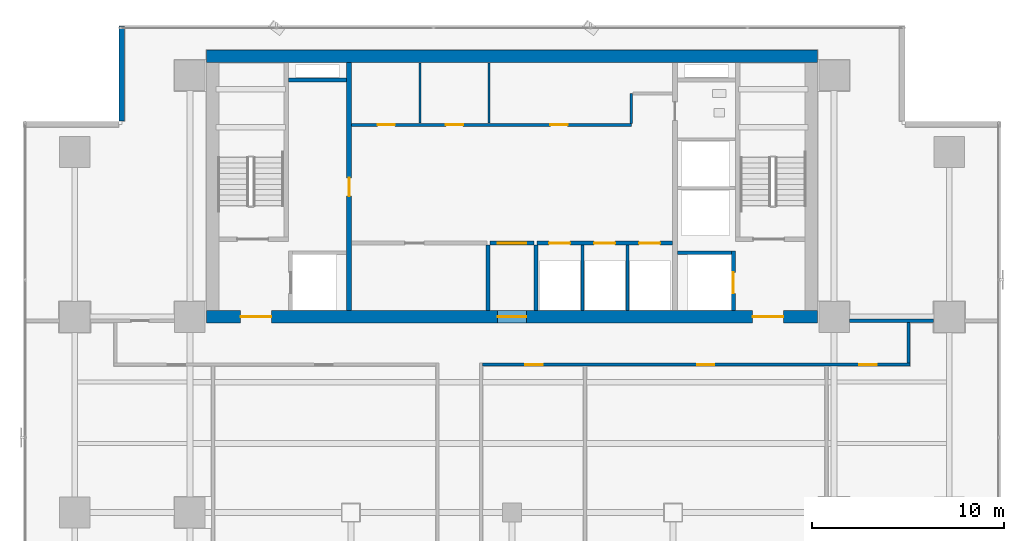
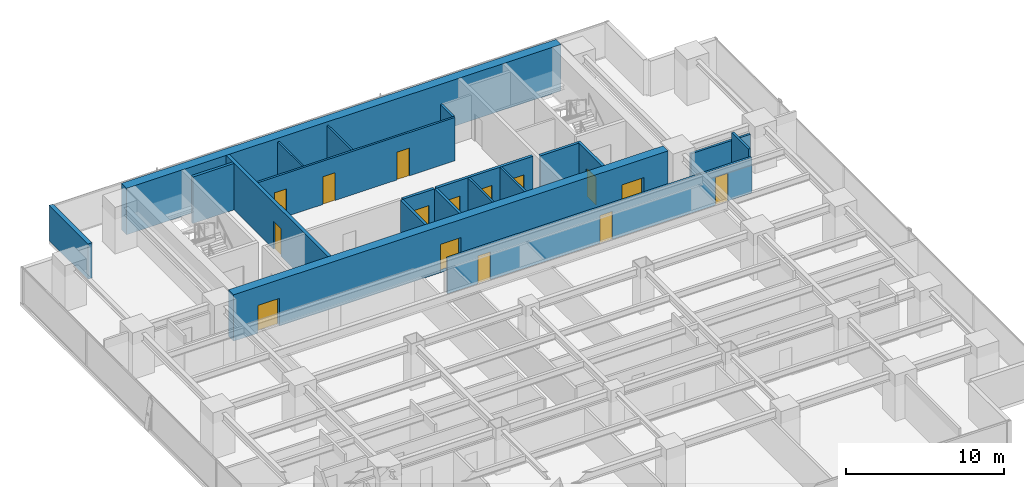
# One storey, part 29 of 37: 20 walls, 15 doors, 15 openings.
"""IFC4 building model written with IfcOpenShell, lengths in metres."""

from ifc_helpers import new_model, si_unit, direction, frame, frame_2d, origin, place, context, subcontext, project, spatial, rectangle, extrude, source, transform, mapped, material, layer, layer_set, type_object, element, fill, save


model = new_model("IFC4")

# Units and contexts
model_context = context("Model", 3, precision=1e-05, world=origin(), true_north=direction((0.0, 1.0)))
body_context = subcontext(model_context, "Body", "Model", "MODEL_VIEW")
ifc_project = project(units=[si_unit("LENGTHUNIT", "METRE"), si_unit("AREAUNIT", "SQUARE_METRE"), si_unit("VOLUMEUNIT", "CUBIC_METRE"), si_unit("PLANEANGLEUNIT", "RADIAN"), si_unit("MASSUNIT", "GRAM", prefix="KILO")], contexts=[model_context])

# Site, building, storey
site_placement = place(None, origin())
site = spatial("IfcSite", under=ifc_project, at=site_placement, CompositionType="ELEMENT")
building_placement = place(site_placement, origin())
building = spatial("IfcBuilding", under=site, at=building_placement, Name="Sumidabori Civic Tower", CompositionType="ELEMENT")
storey_placement = place(building_placement, frame((0.0, 0.0, 110.0)))
storey = spatial("IfcBuildingStorey", under=building, at=storey_placement, Name="L28", CompositionType="ELEMENT", Elevation=110.0)

# Walls
ifc_material_1 = material(Name="Concrete C50/60", Category="concrete")
ifc_layer_1 = layer(ifc_material_1, 0.199951171875, Name="Concrete C50/60")
ifc_layer_set_1 = layer_set([ifc_layer_1], Name="Concrete C50/60")
wall_type_1 = type_object("IfcWallType", Name="WL-SHAFT-200", PredefinedType="SHEAR", material=ifc_layer_set_1)
shared_shape_1 = source(origin(), body_context, "Body", "SweptSolid", [
    extrude(rectangle(XDim=2.824951171875, YDim=0.199951171875, at=frame_2d((1.41259765625, 0.0))), origin(), (0.0, 0.0, 1.0), 3.60009765625),
])
wall_1_placement = place(storey_placement, frame((8.625, 13.550048828125, 0.0), z_axis=(0.0, 0.0, 1.0), x_axis=(1.0, 0.0, 0.0)))
element("IfcWall", 1, at=wall_1_placement, inside=storey, type_object=wall_type_1, Name="Core Shear Wall L28 EL2-N", PredefinedType="SHEAR", context=body_context, shape_type="MappedRepresentation", body=[
    mapped(shared_shape_1, transform((0.0, 0.0, 0.0), x_axis=(1.0, 0.0, 0.0), y_axis=(0.0, 1.0, 0.0), z_axis=(0.0, 0.0, 1.0), scale=1.0)),
])
shared_shape_2 = source(origin(), body_context, "Body", "SweptSolid", [
    extrude(rectangle(XDim=3.02001953125, YDim=0.199951171875, at=frame_2d((1.510009765625, 0.0))), origin(), (0.0, 0.0, 1.0), 3.60009765625),
])
wall_2_placement = place(storey_placement, frame((-11.64501953125, 22.550048828125, 0.0), z_axis=(0.0, 0.0, 1.0), x_axis=(1.0, 0.0, 0.0)))
element("IfcWall", 2, at=wall_2_placement, inside=storey, type_object=wall_type_1, Name="Core Shear Wall L28 RIS1-S", PredefinedType="SHEAR", context=body_context, shape_type="MappedRepresentation", body=[
    mapped(shared_shape_2, transform((0.0, 0.0, 0.0), x_axis=(1.0, 0.0, 0.0), y_axis=(0.0, 1.0, 0.0), z_axis=(0.0, 0.0, 1.0), scale=1.0)),
])
ifc_material_2 = material(Name="Concrete C60/75", Category="concrete")
ifc_layer_2 = layer(ifc_material_2, 0.64990234375, Name="Concrete C60/75")
ifc_layer_set_2 = layer_set([ifc_layer_2], Name="Concrete C60/75")
wall_type_2 = type_object("IfcWallType", Name="WL-CORE-650", PredefinedType="SHEAR", material=ifc_layer_set_2)
shared_shape_3 = source(origin(), body_context, "Body", "SweptSolid", [
    extrude(rectangle(XDim=31.85009765625, YDim=0.64990234375, at=frame_2d((15.925048828125, 0.0))), origin(), (0.0, 0.0, 1.0), 3.60009765625),
])
wall_3_placement = place(storey_placement, frame((-15.925048828125, 23.800048828125, 0.0), z_axis=(0.0, 0.0, 1.0), x_axis=(1.0, 0.0, 0.0)))
element("IfcWall", 3, at=wall_3_placement, inside=storey, type_object=wall_type_2, Name="Core Shear Wall L28 N", PredefinedType="SHEAR", context=body_context, shape_type="MappedRepresentation", body=[
    mapped(shared_shape_3, transform((0.0, 0.0, 0.0), x_axis=(1.0, 0.0, 0.0), y_axis=(0.0, 1.0, 0.0), z_axis=(0.0, 0.0, 1.0), scale=1.0)),
])

# Wall, openings, doors
wall_4_placement = place(storey_placement, frame((-15.925048828125, 10.199951171875, 0.0), z_axis=(0.0, 0.0, 1.0), x_axis=(1.0, 0.0, 0.0)))
wall_4 = element("IfcWall", 4, at=wall_4_placement, inside=storey, type_object=wall_type_2, Name="Core Shear Wall L28 S", PredefinedType="SHEAR", context=body_context, shape_type="MappedRepresentation", body=[
    mapped(shared_shape_3, transform((0.0, 0.0, 0.0), x_axis=(1.0, 0.0, 0.0), y_axis=(0.0, 1.0, 0.0), z_axis=(0.0, 0.0, 1.0), scale=1.0)),
])
opening_1_placement = place(wall_4_placement, frame((1.77490234375, 0.0, 0.0)))
opening_1 = element("IfcOpeningElement", 5, at=opening_1_placement, cuts=wall_4, Name="Opening DR-FD4", PredefinedType="OPENING", context=body_context, shape_type="SweptSolid", body=[
    extrude(rectangle(XDim=1.60009765625, YDim=2.14990234375, at=frame_2d((0.800048828125, 1.074951171875))), frame((0.0, 0.3369140625, 0.0), z_axis=(0.0, -1.0, 0.0), x_axis=(1.0, 0.0, 0.0)), (0.0, 0.0, 1.0), 0.673828125),
])
opening_2_placement = place(wall_4_placement, frame((28.47509765625, 0.0, 0.0)))
opening_2 = element("IfcOpeningElement", 6, at=opening_2_placement, cuts=wall_4, Name="Opening DR-FD4", PredefinedType="OPENING", context=body_context, shape_type="SweptSolid", body=[
    extrude(rectangle(XDim=1.60009765625, YDim=2.14990234375, at=frame_2d((0.800048828125, 1.074951171875))), frame((0.0, 0.3369140625, 0.0), z_axis=(0.0, -1.0, 0.0), x_axis=(1.0, 0.0, 0.0)), (0.0, 0.0, 1.0), 0.673828125),
])
opening_3_placement = place(wall_4_placement, frame((15.175048828125, 0.0, 0.0)))
opening_3 = element("IfcOpeningElement", 7, at=opening_3_placement, cuts=wall_4, Name="Opening DR-FD3", PredefinedType="OPENING", context=body_context, shape_type="SweptSolid", body=[
    extrude(rectangle(XDim=1.5, YDim=2.199951171875, at=frame_2d((0.75, 1.10009765625))), frame((0.0, 0.3369140625, 0.0), z_axis=(0.0, -1.0, 0.0), x_axis=(1.0, 0.0, 0.0)), (0.0, 0.0, 1.0), 0.673828125),
])
ifc_material_3 = material(Name="Steel SN490", Category="steel")
door_type_1 = type_object("IfcDoorType", Name="DR-FD4", OperationType="DOUBLE_DOOR_SINGLE_SWING", PredefinedType="DOOR", material=ifc_material_3)
shared_shape_4 = source(origin(), body_context, "Body", "SweptSolid", [
    extrude(rectangle(XDim=1.60009765625, YDim=2.14990234375, at=frame_2d((0.800048828125, 1.074951171875))), frame((0.0, 0.02490234375, 0.0), z_axis=(0.0, -1.0, 0.0), x_axis=(1.0, 0.0, 0.0)), (0.0, 0.0, 1.0), 0.050048828125),
])
door_1_placement = place(opening_1_placement, origin())
door_1 = element("IfcDoor", 8, at=door_1_placement, inside=storey, type_object=door_type_1, Name="Door DR:L28:ELOB-W", OperationType="DOUBLE_DOOR_SINGLE_SWING", OverallHeight=2.14990234375, OverallWidth=1.60009765625, PredefinedType="DOOR", context=body_context, shape_type="MappedRepresentation", body=[
    mapped(shared_shape_4, transform((0.0, 0.0, 0.0), x_axis=(1.0, 0.0, 0.0), y_axis=(0.0, 1.0, 0.0), z_axis=(0.0, 0.0, 1.0), scale=1.0)),
])
fill(opening_1, door_1)
door_2_placement = place(opening_2_placement, origin())
door_2 = element("IfcDoor", 9, at=door_2_placement, inside=storey, type_object=door_type_1, Name="Door DR:L28:ELOB-E", OperationType="DOUBLE_DOOR_SINGLE_SWING", OverallHeight=2.14990234375, OverallWidth=1.60009765625, PredefinedType="DOOR", context=body_context, shape_type="MappedRepresentation", body=[
    mapped(shared_shape_4, transform((0.0, 0.0, 0.0), x_axis=(1.0, 0.0, 0.0), y_axis=(0.0, 1.0, 0.0), z_axis=(0.0, 0.0, 1.0), scale=1.0)),
])
fill(opening_2, door_2)
door_type_2 = type_object("IfcDoorType", Name="DR-FD-DBL", OperationType="DOUBLE_DOOR_SINGLE_SWING", PredefinedType="DOOR", material=ifc_material_3)
shared_shape_5 = source(origin(), body_context, "Body", "SweptSolid", [
    extrude(rectangle(XDim=1.5, YDim=2.199951171875, at=frame_2d((0.75, 1.10009765625))), frame((0.0, 0.02490234375, 0.0), z_axis=(0.0, -1.0, 0.0), x_axis=(1.0, 0.0, 0.0)), (0.0, 0.0, 1.0), 0.050048828125),
])
door_3_placement = place(opening_3_placement, origin())
door_3 = element("IfcDoor", 10, at=door_3_placement, inside=storey, type_object=door_type_2, Name="Door DR:L28:THROAT-OUT", OperationType="DOUBLE_DOOR_SINGLE_SWING", OverallHeight=2.199951171875, OverallWidth=1.5, PredefinedType="DOOR", context=body_context, shape_type="MappedRepresentation", body=[
    mapped(shared_shape_5, transform((0.0, 0.0, 0.0), x_axis=(1.0, 0.0, 0.0), y_axis=(0.0, 1.0, 0.0), z_axis=(0.0, 0.0, 1.0), scale=1.0)),
])
fill(opening_3, door_3)

# Wall, opening, door
ifc_layer_3 = layer(ifc_material_1, 0.25, Name="Concrete C50/60")
ifc_layer_set_3 = layer_set([ifc_layer_3], Name="Concrete C50/60")
wall_type_3 = type_object("IfcWallType", Name="WL-SHAFT-250", PredefinedType="SHEAR", material=ifc_layer_set_3)
shared_shape_6 = source(origin(), body_context, "Body", "SweptSolid", [
    extrude(rectangle(XDim=12.9501953125, YDim=0.25, at=frame_2d((6.47509765625, 0.0))), origin(), (0.0, 0.0, 1.0), 3.60009765625),
])
wall_5_placement = place(storey_placement, frame((-8.5, 10.52490234375, 0.0), z_axis=(0.0, 0.0, 1.0), x_axis=(0.0, 1.0, 0.0)))
wall_5 = element("IfcWall", 11, at=wall_5_placement, inside=storey, type_object=wall_type_3, Name="Core Shear Wall L28 WEB-W", PredefinedType="SHEAR", context=body_context, shape_type="MappedRepresentation", body=[
    mapped(shared_shape_6, transform((0.0, 0.0, 0.0), x_axis=(1.0, 0.0, 0.0), y_axis=(0.0, 1.0, 0.0), z_axis=(0.0, 0.0, 1.0), scale=1.0)),
])
opening_4_placement = place(wall_5_placement, frame((5.97509765625, 0.0, 0.0)))
opening_4 = element("IfcOpeningElement", 12, at=opening_4_placement, cuts=wall_5, Name="Opening DR-FD2", PredefinedType="OPENING", context=body_context, shape_type="SweptSolid", body=[
    extrude(rectangle(XDim=0.949951171875, YDim=2.14990234375, at=frame_2d((0.47509765625, 1.074951171875))), frame((0.0, 0.136962890625, 0.0), z_axis=(0.0, -1.0, 0.0), x_axis=(1.0, 0.0, 0.0)), (0.0, 0.0, 1.0), 0.27392578125),
])
door_type_3 = type_object("IfcDoorType", Name="DR-FD2", OperationType="NOTDEFINED", PredefinedType="DOOR", material=ifc_material_3)
shared_shape_7 = source(origin(), body_context, "Body", "SweptSolid", [
    extrude(rectangle(XDim=0.949951171875, YDim=2.14990234375, at=frame_2d((0.47509765625, 1.074951171875))), frame((0.0, 0.02490234375, 0.0), z_axis=(0.0, -1.0, 0.0), x_axis=(1.0, 0.0, 0.0)), (0.0, 0.0, 1.0), 0.050048828125),
])
door_4_placement = place(opening_4_placement, origin())
door_4 = element("IfcDoor", 13, at=door_4_placement, inside=storey, type_object=door_type_3, Name="Door DR:L28:CW-STR", OperationType="SINGLE_SWING_LEFT", OverallHeight=2.14990234375, OverallWidth=0.949951171875, PredefinedType="DOOR", context=body_context, shape_type="MappedRepresentation", body=[
    mapped(shared_shape_7, transform((0.0, 0.0, 0.0), x_axis=(1.0, 0.0, 0.0), y_axis=(0.0, 1.0, 0.0), z_axis=(0.0, 0.0, 1.0), scale=1.0)),
])
fill(opening_4, door_4)

shared_shape_8 = source(origin(), body_context, "Body", "SweptSolid", [
    extrude(rectangle(XDim=3.125, YDim=0.199951171875, at=frame_2d((1.5625, 0.0))), origin(), (0.0, 0.0, 1.0), 3.60009765625),
])
wall_6_placement = place(storey_placement, frame((11.550048828125, 10.52490234375, 0.0), z_axis=(0.0, 0.0, 1.0), x_axis=(0.0, 1.0, 0.0)))
wall_6 = element("IfcWall", 14, at=wall_6_placement, inside=storey, type_object=wall_type_1, Name="Core Shear Wall L28 EL2-E", PredefinedType="SHEAR", context=body_context, shape_type="MappedRepresentation", body=[
    mapped(shared_shape_8, transform((0.0, 0.0, 0.0), x_axis=(1.0, 0.0, 0.0), y_axis=(0.0, 1.0, 0.0), z_axis=(0.0, 0.0, 1.0), scale=1.0)),
])
opening_5_placement = place(wall_6_placement, frame((0.89990234375, 0.0, 0.0)))
opening_5 = element("IfcOpeningElement", 15, at=opening_5_placement, cuts=wall_6, Name="Opening LD-2", PredefinedType="OPENING", context=body_context, shape_type="SweptSolid", body=[
    extrude(rectangle(XDim=1.10009765625, YDim=2.14990234375, at=frame_2d((0.550048828125, 1.074951171875))), frame((0.0, 0.11181640625, 0.0), z_axis=(0.0, -1.0, 0.0), x_axis=(1.0, 0.0, 0.0)), (0.0, 0.0, 1.0), 0.223876953125),
])
ifc_material_4 = material(Name="Stainless Steel Hairline Finish", Category="steel")
door_type_4 = type_object("IfcDoorType", Name="DR-LD2", OperationType="DOUBLE_DOOR_SLIDING", PredefinedType="DOOR", material=ifc_material_4)
shared_shape_9 = source(origin(), body_context, "Body", "SweptSolid", [
    extrude(rectangle(XDim=1.10009765625, YDim=2.14990234375, at=frame_2d((0.550048828125, 1.074951171875))), frame((0.0, 0.02490234375, 0.0), z_axis=(0.0, -1.0, 0.0), x_axis=(1.0, 0.0, 0.0)), (0.0, 0.0, 1.0), 0.050048828125),
])
door_5_placement = place(opening_5_placement, origin())
door_5 = element("IfcDoor", 16, at=door_5_placement, inside=storey, type_object=door_type_4, Name="Door DR:L28:LD-EL2", OperationType="DOUBLE_DOOR_SLIDING", OverallHeight=2.14990234375, OverallWidth=1.10009765625, PredefinedType="DOOR", context=body_context, shape_type="MappedRepresentation", body=[
    mapped(shared_shape_9, transform((0.0, 0.0, 0.0), x_axis=(1.0, 0.0, 0.0), y_axis=(0.0, 1.0, 0.0), z_axis=(0.0, 0.0, 1.0), scale=1.0)),
])
fill(opening_5, door_5)

# Wall
ifc_material_5 = material(Name="Precast concrete C40/50", Category="concrete")
ifc_layer_4 = layer(ifc_material_5, 0.300048828125, Name="Precast concrete C40/50")
ifc_layer_set_4 = layer_set([ifc_layer_4], Name="Precast concrete C40/50")
wall_type_4 = type_object("IfcWallType", Name="WL-EXT-POD300", PredefinedType="STANDARD", material=ifc_layer_set_4)
shared_shape_10 = source(origin(), body_context, "Body", "SweptSolid", [
    extrude(rectangle(XDim=4.9599609375, YDim=0.300048828125, at=frame_2d((2.47998046875, 0.0))), origin(), (0.0, 0.0, 1.0), 2.739990234375),
])
wall_7_placement = place(storey_placement, frame((-20.35009765625, 25.3798828125, 0.0), z_axis=(0.0, 0.0, 1.0), x_axis=(0.0, -1.0, 0.0)))
element("IfcWall", 17, at=wall_7_placement, inside=storey, type_object=wall_type_4, Name="Notched Corner Spandrel Band L28-08", PredefinedType="STANDARD", context=body_context, shape_type="MappedRepresentation", body=[
    mapped(shared_shape_10, transform((0.0, 0.0, 0.0), x_axis=(1.0, 0.0, 0.0), y_axis=(0.0, 1.0, 0.0), z_axis=(0.0, 0.0, 1.0), scale=1.0)),
])

# Wall, openings, doors
ifc_material_6 = material(Name="Gypsum Plasterboard Fire Partition")
ifc_layer_5 = layer(ifc_material_6, 0.199951171875, Name="Gypsum Plasterboard Fire Partition")
ifc_layer_set_5 = layer_set([ifc_layer_5], Name="Gypsum Plasterboard Fire Partition")
wall_type_5 = type_object("IfcWallType", Name="WL-PART-FIRE", PredefinedType="PARTITIONING", material=ifc_layer_set_5)
shared_shape_11 = source(origin(), body_context, "Body", "SweptSolid", [
    extrude(rectangle(XDim=7.070068359375, YDim=0.199951171875, at=frame_2d((3.53515625, 0.0))), origin(), (0.0, 0.0, 1.0), 3.360107421875),
])
wall_8_placement = place(storey_placement, frame((1.300048828125, 14.050048828125, 0.0), z_axis=(0.0, 0.0, 1.0), x_axis=(1.0, 0.0, 0.0)))
wall_8 = element("IfcWall", 18, at=wall_8_placement, inside=storey, type_object=wall_type_5, Name="Interior Partition WL:L28:CBAND-SE", PredefinedType="PARTITIONING", context=body_context, shape_type="MappedRepresentation", body=[
    mapped(shared_shape_11, transform((0.0, 0.0, 0.0), x_axis=(1.0, 0.0, 0.0), y_axis=(0.0, 1.0, 0.0), z_axis=(0.0, 0.0, 1.0), scale=1.0)),
])
opening_6_placement = place(wall_8_placement, frame((0.6298828125, 0.0, 0.0)))
opening_6 = element("IfcOpeningElement", 19, at=opening_6_placement, cuts=wall_8, Name="Opening LD-1", PredefinedType="OPENING", context=body_context, shape_type="SweptSolid", body=[
    extrude(rectangle(XDim=1.10009765625, YDim=2.14990234375, at=frame_2d((0.550048828125, 1.074951171875))), frame((0.0, 0.11181640625, 0.0), z_axis=(0.0, -1.0, 0.0), x_axis=(1.0, 0.0, 0.0)), (0.0, 0.0, 1.0), 0.223876953125),
])
opening_7_placement = place(wall_8_placement, frame((2.97998046875, 0.0, 0.0)))
opening_7 = element("IfcOpeningElement", 20, at=opening_7_placement, cuts=wall_8, Name="Opening LD-1", PredefinedType="OPENING", context=body_context, shape_type="SweptSolid", body=[
    extrude(rectangle(XDim=1.10009765625, YDim=2.14990234375, at=frame_2d((0.550048828125, 1.074951171875))), frame((0.0, 0.11181640625, 0.0), z_axis=(0.0, -1.0, 0.0), x_axis=(1.0, 0.0, 0.0)), (0.0, 0.0, 1.0), 0.223876953125),
])
opening_8_placement = place(wall_8_placement, frame((5.330078125, 0.0, 0.0)))
opening_8 = element("IfcOpeningElement", 21, at=opening_8_placement, cuts=wall_8, Name="Opening LD-1", PredefinedType="OPENING", context=body_context, shape_type="SweptSolid", body=[
    extrude(rectangle(XDim=1.10009765625, YDim=2.14990234375, at=frame_2d((0.550048828125, 1.074951171875))), frame((0.0, 0.11181640625, 0.0), z_axis=(0.0, -1.0, 0.0), x_axis=(1.0, 0.0, 0.0)), (0.0, 0.0, 1.0), 0.223876953125),
])
door_type_5 = type_object("IfcDoorType", Name="DR-LD1", OperationType="DOUBLE_DOOR_SLIDING", PredefinedType="DOOR", material=ifc_material_4)
door_6_placement = place(opening_6_placement, origin())
door_6 = element("IfcDoor", 22, at=door_6_placement, inside=storey, type_object=door_type_5, Name="Door DR:L28:LD-PLM1", OperationType="DOUBLE_DOOR_SLIDING", OverallHeight=2.14990234375, OverallWidth=1.10009765625, PredefinedType="DOOR", context=body_context, shape_type="MappedRepresentation", body=[
    mapped(shared_shape_9, transform((0.0, 0.0, 0.0), x_axis=(1.0, 0.0, 0.0), y_axis=(0.0, 1.0, 0.0), z_axis=(0.0, 0.0, 1.0), scale=1.0)),
])
fill(opening_6, door_6)
door_7_placement = place(opening_7_placement, origin())
door_7 = element("IfcDoor", 23, at=door_7_placement, inside=storey, type_object=door_type_5, Name="Door DR:L28:LD-PLM2", OperationType="DOUBLE_DOOR_SLIDING", OverallHeight=2.14990234375, OverallWidth=1.10009765625, PredefinedType="DOOR", context=body_context, shape_type="MappedRepresentation", body=[
    mapped(shared_shape_9, transform((0.0, 0.0, 0.0), x_axis=(1.0, 0.0, 0.0), y_axis=(0.0, 1.0, 0.0), z_axis=(0.0, 0.0, 1.0), scale=1.0)),
])
fill(opening_7, door_7)
door_8_placement = place(opening_8_placement, origin())
door_8 = element("IfcDoor", 24, at=door_8_placement, inside=storey, type_object=door_type_5, Name="Door DR:L28:LD-PLM3", OperationType="DOUBLE_DOOR_SLIDING", OverallHeight=2.14990234375, OverallWidth=1.10009765625, PredefinedType="DOOR", context=body_context, shape_type="MappedRepresentation", body=[
    mapped(shared_shape_9, transform((0.0, 0.0, 0.0), x_axis=(1.0, 0.0, 0.0), y_axis=(0.0, 1.0, 0.0), z_axis=(0.0, 0.0, 1.0), scale=1.0)),
])
fill(opening_8, door_8)

# Wall, opening, door
shared_shape_12 = source(origin(), body_context, "Body", "SweptSolid", [
    extrude(rectangle(XDim=2.2998046875, YDim=0.199951171875, at=frame_2d((1.14990234375, 0.0))), origin(), (0.0, 0.0, 1.0), 3.360107421875),
])
wall_9_placement = place(storey_placement, frame((-1.14990234375, 14.050048828125, 0.0), z_axis=(0.0, 0.0, 1.0), x_axis=(1.0, 0.0, 0.0)))
wall_9 = element("IfcWall", 25, at=wall_9_placement, inside=storey, type_object=wall_type_5, Name="Interior Partition WL:L28:THROAT-N", PredefinedType="PARTITIONING", context=body_context, shape_type="MappedRepresentation", body=[
    mapped(shared_shape_12, transform((0.0, 0.0, 0.0), x_axis=(1.0, 0.0, 0.0), y_axis=(0.0, 1.0, 0.0), z_axis=(0.0, 0.0, 1.0), scale=1.0)),
])
opening_9_placement = place(wall_9_placement, frame((0.39990234375, 0.0, 0.0)))
opening_9 = element("IfcOpeningElement", 26, at=opening_9_placement, cuts=wall_9, Name="Opening DR-FD3", PredefinedType="OPENING", context=body_context, shape_type="SweptSolid", body=[
    extrude(rectangle(XDim=1.5, YDim=2.199951171875, at=frame_2d((0.75, 1.10009765625))), frame((0.0, 0.11181640625, 0.0), z_axis=(0.0, -1.0, 0.0), x_axis=(1.0, 0.0, 0.0)), (0.0, 0.0, 1.0), 0.223876953125),
])
door_9_placement = place(opening_9_placement, origin())
door_9 = element("IfcDoor", 27, at=door_9_placement, inside=storey, type_object=door_type_2, Name="Door DR:L28:THROAT-IN", OperationType="DOUBLE_DOOR_SINGLE_SWING", OverallHeight=2.199951171875, OverallWidth=1.5, PredefinedType="DOOR", context=body_context, shape_type="MappedRepresentation", body=[
    mapped(shared_shape_5, transform((0.0, 0.0, 0.0), x_axis=(1.0, 0.0, 0.0), y_axis=(0.0, 1.0, 0.0), z_axis=(0.0, 0.0, 1.0), scale=1.0)),
])
fill(opening_9, door_9)

# Wall, openings, doors
ifc_material_7 = material(Name="Gypsum Plasterboard Acoustic Partition")
ifc_layer_6 = layer(ifc_material_7, 0.14990234375, Name="Gypsum Plasterboard Acoustic Partition")
ifc_layer_set_6 = layer_set([ifc_layer_6], Name="Gypsum Plasterboard Acoustic Partition")
wall_type_6 = type_object("IfcWallType", Name="WL-PART-150", PredefinedType="PARTITIONING", material=ifc_layer_set_6)
shared_shape_13 = source(origin(), body_context, "Body", "SweptSolid", [
    extrude(rectangle(XDim=14.590087890625, YDim=0.14990234375, at=frame_2d((7.294921875, 0.0))), origin(), (0.0, 0.0, 1.0), 3.360107421875),
])
wall_10_placement = place(storey_placement, frame((-8.3701171875, 20.219970703125, 0.0), z_axis=(0.0, 0.0, 1.0), x_axis=(1.0, 0.0, 0.0)))
wall_10 = element("IfcWall", 28, at=wall_10_placement, inside=storey, type_object=wall_type_6, Name="Interior Partition WL:L28:CBAND-M", PredefinedType="PARTITIONING", context=body_context, shape_type="MappedRepresentation", body=[
    mapped(shared_shape_13, transform((0.0, 0.0, 0.0), x_axis=(1.0, 0.0, 0.0), y_axis=(0.0, 1.0, 0.0), z_axis=(0.0, 0.0, 1.0), scale=1.0)),
])
opening_10_placement = place(wall_10_placement, frame((1.360107421875, 0.0, 0.0)))
opening_10 = element("IfcOpeningElement", 29, at=opening_10_placement, cuts=wall_10, Name="Opening DR-1", PredefinedType="OPENING", context=body_context, shape_type="SweptSolid", body=[
    extrude(rectangle(XDim=0.89990234375, YDim=2.14990234375, at=frame_2d((0.449951171875, 1.074951171875))), frame((0.0, 0.0869140625, 0.0), z_axis=(0.0, -1.0, 0.0), x_axis=(1.0, 0.0, 0.0)), (0.0, 0.0, 1.0), 0.173828125),
])
opening_11_placement = place(wall_10_placement, frame((4.919921875, 0.0, 0.0)))
opening_11 = element("IfcOpeningElement", 30, at=opening_11_placement, cuts=wall_10, Name="Opening DR-1", PredefinedType="OPENING", context=body_context, shape_type="SweptSolid", body=[
    extrude(rectangle(XDim=0.89990234375, YDim=2.14990234375, at=frame_2d((0.449951171875, 1.074951171875))), frame((0.0, 0.0869140625, 0.0), z_axis=(0.0, -1.0, 0.0), x_axis=(1.0, 0.0, 0.0)), (0.0, 0.0, 1.0), 0.173828125),
])
opening_12_placement = place(wall_10_placement, frame((10.3701171875, 0.0, 0.0)))
opening_12 = element("IfcOpeningElement", 31, at=opening_12_placement, cuts=wall_10, Name="Opening DR-1", PredefinedType="OPENING", context=body_context, shape_type="SweptSolid", body=[
    extrude(rectangle(XDim=0.89990234375, YDim=2.14990234375, at=frame_2d((0.449951171875, 1.074951171875))), frame((0.0, 0.0869140625, 0.0), z_axis=(0.0, -1.0, 0.0), x_axis=(1.0, 0.0, 0.0)), (0.0, 0.0, 1.0), 0.173828125),
])
ifc_material_8 = material(Name="Japanese Hinoki Timber", Category="wood")
door_type_6 = type_object("IfcDoorType", Name="DR-INT-900", OperationType="NOTDEFINED", PredefinedType="DOOR", material=ifc_material_8)
shared_shape_14 = source(origin(), body_context, "Body", "SweptSolid", [
    extrude(rectangle(XDim=0.89990234375, YDim=2.14990234375, at=frame_2d((0.449951171875, 1.074951171875))), frame((0.0, 0.02490234375, 0.0), z_axis=(0.0, -1.0, 0.0), x_axis=(1.0, 0.0, 0.0)), (0.0, 0.0, 1.0), 0.050048828125),
])
door_10_placement = place(opening_10_placement, origin())
door_10 = element("IfcDoor", 32, at=door_10_placement, inside=storey, type_object=door_type_6, Name="Door DR:L28:CB-1", OperationType="SINGLE_SWING_LEFT", OverallHeight=2.14990234375, OverallWidth=0.89990234375, PredefinedType="DOOR", context=body_context, shape_type="MappedRepresentation", body=[
    mapped(shared_shape_14, transform((0.0, 0.0, 0.0), x_axis=(1.0, 0.0, 0.0), y_axis=(0.0, 1.0, 0.0), z_axis=(0.0, 0.0, 1.0), scale=1.0)),
])
fill(opening_10, door_10)
door_11_placement = place(opening_11_placement, origin())
door_11 = element("IfcDoor", 33, at=door_11_placement, inside=storey, type_object=door_type_6, Name="Door DR:L28:CB-2", OperationType="SINGLE_SWING_RIGHT", OverallHeight=2.14990234375, OverallWidth=0.89990234375, PredefinedType="DOOR", context=body_context, shape_type="MappedRepresentation", body=[
    mapped(shared_shape_14, transform((0.0, 0.0, 0.0), x_axis=(1.0, 0.0, 0.0), y_axis=(0.0, 1.0, 0.0), z_axis=(0.0, 0.0, 1.0), scale=1.0)),
])
fill(opening_11, door_11)
door_12_placement = place(opening_12_placement, origin())
door_12 = element("IfcDoor", 34, at=door_12_placement, inside=storey, type_object=door_type_6, Name="Door DR:L28:CB-3", OperationType="SINGLE_SWING_LEFT", OverallHeight=2.14990234375, OverallWidth=0.89990234375, PredefinedType="DOOR", context=body_context, shape_type="MappedRepresentation", body=[
    mapped(shared_shape_14, transform((0.0, 0.0, 0.0), x_axis=(1.0, 0.0, 0.0), y_axis=(0.0, 1.0, 0.0), z_axis=(0.0, 0.0, 1.0), scale=1.0)),
])
fill(opening_12, door_12)

# Walls
shared_shape_15 = source(origin(), body_context, "Body", "SweptSolid", [
    extrude(rectangle(XDim=1.550048828125, YDim=0.14990234375, at=frame_2d((0.77490234375, 0.0))), origin(), (0.0, 0.0, 1.0), 3.360107421875),
])
wall_11_placement = place(storey_placement, frame((6.219970703125, 20.300048828125, 0.0), z_axis=(0.0, 0.0, 1.0), x_axis=(0.0, 1.0, 0.0)))
element("IfcWall", 35, at=wall_11_placement, inside=storey, type_object=wall_type_6, Name="Interior Partition WL:L28:CBAND-ME1", PredefinedType="PARTITIONING", context=body_context, shape_type="MappedRepresentation", body=[
    mapped(shared_shape_15, transform((0.0, 0.0, 0.0), x_axis=(1.0, 0.0, 0.0), y_axis=(0.0, 1.0, 0.0), z_axis=(0.0, 0.0, 1.0), scale=1.0)),
])
shared_shape_16 = source(origin(), body_context, "Body", "SweptSolid", [
    extrude(rectangle(XDim=3.4150390625, YDim=0.199951171875, at=frame_2d((1.70751953125, 0.0))), origin(), (0.0, 0.0, 1.0), 3.360107421875),
])
for number, where, z_axis, x_axis, name in (
    (36, (-1.25, 10.52490234375, 0.0), (0.0, 0.0, 1.0), (0.0, 1.0, 0.0), "Interior Partition WL:L28:THROAT-W"),
    (37, (1.25, 10.52490234375, 0.0), (0.0, 0.0, 1.0), (0.0, 1.0, 0.0), "Interior Partition WL:L28:THROAT-E"),
):
    element("IfcWall", number, at=place(storey_placement, frame(where, z_axis=z_axis, x_axis=x_axis)), inside=storey, type_object=wall_type_5, Name=name, PredefinedType="PARTITIONING", context=body_context, shape_type="MappedRepresentation", body=[
        mapped(shared_shape_16, transform((0.0, 0.0, 0.0), x_axis=(1.0, 0.0, 0.0), y_axis=(0.0, 1.0, 0.0), z_axis=(0.0, 0.0, 1.0), scale=1.0)),
    ])
shared_shape_17 = source(origin(), body_context, "Body", "SweptSolid", [
    extrude(rectangle(XDim=3.4150390625, YDim=0.14990234375, at=frame_2d((1.70751953125, 0.0))), origin(), (0.0, 0.0, 1.0), 3.360107421875),
])
for number, where, z_axis, x_axis, name in (
    (38, (3.669921875, 10.52490234375, 0.0), (0.0, 0.0, 1.0), (0.0, 1.0, 0.0), "Interior Partition WL:L28:DIV-PLM1"),
    (39, (6.02001953125, 10.52490234375, 0.0), (0.0, 0.0, 1.0), (0.0, 1.0, 0.0), "Interior Partition WL:L28:DIV-PLM2"),
):
    element("IfcWall", number, at=place(storey_placement, frame(where, z_axis=z_axis, x_axis=x_axis)), inside=storey, type_object=wall_type_6, Name=name, PredefinedType="PARTITIONING", context=body_context, shape_type="MappedRepresentation", body=[
        mapped(shared_shape_17, transform((0.0, 0.0, 0.0), x_axis=(1.0, 0.0, 0.0), y_axis=(0.0, 1.0, 0.0), z_axis=(0.0, 0.0, 1.0), scale=1.0)),
    ])
ifc_layer_7 = layer(ifc_material_7, 0.1201171875, Name="Gypsum Plasterboard Acoustic Partition")
ifc_layer_set_7 = layer_set([ifc_layer_7], Name="Gypsum Plasterboard Acoustic Partition")
wall_type_7 = type_object("IfcWallType", Name="WL-PART-120", PredefinedType="PARTITIONING", material=ifc_layer_set_7)
shared_shape_18 = source(origin(), body_context, "Body", "SweptSolid", [
    extrude(rectangle(XDim=3.114990234375, YDim=0.1201171875, at=frame_2d((1.5576171875, 0.0))), origin(), (0.0, 0.0, 1.0), 3.360107421875),
])
for number, where, z_axis, x_axis, name in (
    (40, (-4.800048828125, 20.320068359375, 0.0), (0.0, 0.0, 1.0), (0.0, 1.0, 0.0), "Interior Partition WL:L28:LV8-S1"),
    (41, (-1.199951171875, 20.320068359375, 0.0), (0.0, 0.0, 1.0), (0.0, 1.0, 0.0), "Interior Partition WL:L28:LV8-S2"),
):
    element("IfcWall", number, at=place(storey_placement, frame(where, z_axis=z_axis, x_axis=x_axis)), inside=storey, type_object=wall_type_7, Name=name, PredefinedType="PARTITIONING", context=body_context, shape_type="MappedRepresentation", body=[
        mapped(shared_shape_18, transform((0.0, 0.0, 0.0), x_axis=(1.0, 0.0, 0.0), y_axis=(0.0, 1.0, 0.0), z_axis=(0.0, 0.0, 1.0), scale=1.0)),
    ])
ifc_layer_8 = layer(ifc_material_7, 0.1650390625, Name="Gypsum Plasterboard Acoustic Partition")
ifc_layer_set_8 = layer_set([ifc_layer_8], Name="Gypsum Plasterboard Acoustic Partition")
wall_type_8 = type_object("IfcWallType", Name="WL-PART-165", PredefinedType="PARTITIONING", material=ifc_layer_set_8)
shared_shape_19 = source(origin(), body_context, "Body", "SweptSolid", [
    extrude(rectangle(XDim=4.3798828125, YDim=0.1650390625, at=frame_2d((2.18994140625, 0.0))), origin(), (0.0, 0.0, 1.0), 2.7451171875),
])
wall_12_placement = place(storey_placement, frame((17.610107421875, 10.0, 0.0), z_axis=(0.0, 0.0, 1.0), x_axis=(1.0, 0.0, 0.0)))
element("IfcWall", 42, at=wall_12_placement, inside=storey, type_object=wall_type_8, Name="Interior Partition WL:L28:FLK-NE-1", PredefinedType="PARTITIONING", context=body_context, shape_type="MappedRepresentation", body=[
    mapped(shared_shape_19, transform((0.0, 0.0, 0.0), x_axis=(1.0, 0.0, 0.0), y_axis=(0.0, 1.0, 0.0), z_axis=(0.0, 0.0, 1.0), scale=1.0)),
])

# Wall, openings, doors
shared_shape_20 = source(origin(), body_context, "Body", "SweptSolid", [
    extrude(rectangle(XDim=22.2998046875, YDim=0.1650390625, at=frame_2d((11.14990234375, 0.0))), origin(), (0.0, 0.0, 1.0), 2.7451171875),
])
wall_13_placement = place(storey_placement, frame((-1.534912109375, 7.717529296875, 0.0), z_axis=(0.0, 0.0, 1.0), x_axis=(1.0, 0.0, 0.0)))
wall_13 = element("IfcWall", 43, at=wall_13_placement, inside=storey, type_object=wall_type_8, Name="Interior Partition WL:L28:CORR-SE", PredefinedType="PARTITIONING", context=body_context, shape_type="MappedRepresentation", body=[
    mapped(shared_shape_20, transform((0.0, 0.0, 0.0), x_axis=(1.0, 0.0, 0.0), y_axis=(0.0, 1.0, 0.0), z_axis=(0.0, 0.0, 1.0), scale=1.0)),
])
opening_13_placement = place(wall_13_placement, frame((19.646240234375, 0.0, 0.0)))
opening_13 = element("IfcOpeningElement", 44, at=opening_13_placement, cuts=wall_13, Name="Opening DR-1", PredefinedType="OPENING", context=body_context, shape_type="SweptSolid", body=[
    extrude(rectangle(XDim=0.89990234375, YDim=2.14990234375, at=frame_2d((0.449951171875, 1.074951171875))), frame((0.0, 0.094482421875, 0.0), z_axis=(0.0, -1.0, 0.0), x_axis=(1.0, 0.0, 0.0)), (0.0, 0.0, 1.0), 0.18896484375),
])
opening_14_placement = place(wall_13_placement, frame((2.236083984375, 0.0, 0.0)))
opening_14 = element("IfcOpeningElement", 45, at=opening_14_placement, cuts=wall_13, Name="Opening DR-1", PredefinedType="OPENING", context=body_context, shape_type="SweptSolid", body=[
    extrude(rectangle(XDim=0.89990234375, YDim=2.14990234375, at=frame_2d((0.449951171875, 1.074951171875))), frame((0.0, 0.094482421875, 0.0), z_axis=(0.0, -1.0, 0.0), x_axis=(1.0, 0.0, 0.0)), (0.0, 0.0, 1.0), 0.18896484375),
])
opening_15_placement = place(wall_13_placement, frame((11.18505859375, 0.0, 0.0)))
opening_15 = element("IfcOpeningElement", 46, at=opening_15_placement, cuts=wall_13, Name="Opening DR-1", PredefinedType="OPENING", context=body_context, shape_type="SweptSolid", body=[
    extrude(rectangle(XDim=0.89990234375, YDim=2.14990234375, at=frame_2d((0.449951171875, 1.074951171875))), frame((0.0, 0.094482421875, 0.0), z_axis=(0.0, -1.0, 0.0), x_axis=(1.0, 0.0, 0.0)), (0.0, 0.0, 1.0), 0.18896484375),
])
door_13_placement = place(opening_13_placement, origin())
door_13 = element("IfcDoor", 47, at=door_13_placement, inside=storey, type_object=door_type_6, Name="Door DR:L28:D03", OperationType="SINGLE_SWING_LEFT", OverallHeight=2.14990234375, OverallWidth=0.89990234375, PredefinedType="DOOR", context=body_context, shape_type="MappedRepresentation", body=[
    mapped(shared_shape_14, transform((0.0, 0.0, 0.0), x_axis=(1.0, 0.0, 0.0), y_axis=(0.0, 1.0, 0.0), z_axis=(0.0, 0.0, 1.0), scale=1.0)),
])
fill(opening_13, door_13)
door_14_placement = place(opening_14_placement, origin())
door_14 = element("IfcDoor", 48, at=door_14_placement, inside=storey, type_object=door_type_6, Name="Door DR:L28:D05", OperationType="SINGLE_SWING_LEFT", OverallHeight=2.14990234375, OverallWidth=0.89990234375, PredefinedType="DOOR", context=body_context, shape_type="MappedRepresentation", body=[
    mapped(shared_shape_14, transform((0.0, 0.0, 0.0), x_axis=(1.0, 0.0, 0.0), y_axis=(0.0, 1.0, 0.0), z_axis=(0.0, 0.0, 1.0), scale=1.0)),
])
fill(opening_14, door_14)
door_15_placement = place(opening_15_placement, origin())
door_15 = element("IfcDoor", 49, at=door_15_placement, inside=storey, type_object=door_type_6, Name="Door DR:L28:D06", OperationType="SINGLE_SWING_RIGHT", OverallHeight=2.14990234375, OverallWidth=0.89990234375, PredefinedType="DOOR", context=body_context, shape_type="MappedRepresentation", body=[
    mapped(shared_shape_14, transform((0.0, 0.0, 0.0), x_axis=(1.0, 0.0, 0.0), y_axis=(0.0, 1.0, 0.0), z_axis=(0.0, 0.0, 1.0), scale=1.0)),
])
fill(opening_15, door_15)

# Wall
shared_shape_21 = source(origin(), body_context, "Body", "SweptSolid", [
    extrude(rectangle(XDim=2.107666015625, YDim=0.1650390625, at=frame_2d((1.0537109375, 0.0))), origin(), (0.0, 0.0, 1.0), 3.360107421875),
])
wall_14_placement = place(storey_placement, frame((20.6826171875, 7.804931640625, 0.0), z_axis=(0.0, 0.0, 1.0), x_axis=(0.0, 1.0, 0.0)))
element("IfcWall", 50, at=wall_14_placement, inside=storey, type_object=wall_type_8, Name="Interior Partition WL:L28:CORR-VNE", PredefinedType="PARTITIONING", context=body_context, shape_type="MappedRepresentation", body=[
    mapped(shared_shape_21, transform((0.0, 0.0, 0.0), x_axis=(1.0, 0.0, 0.0), y_axis=(0.0, 1.0, 0.0), z_axis=(0.0, 0.0, 1.0), scale=1.0)),
])

save(model, "model.ifc")
